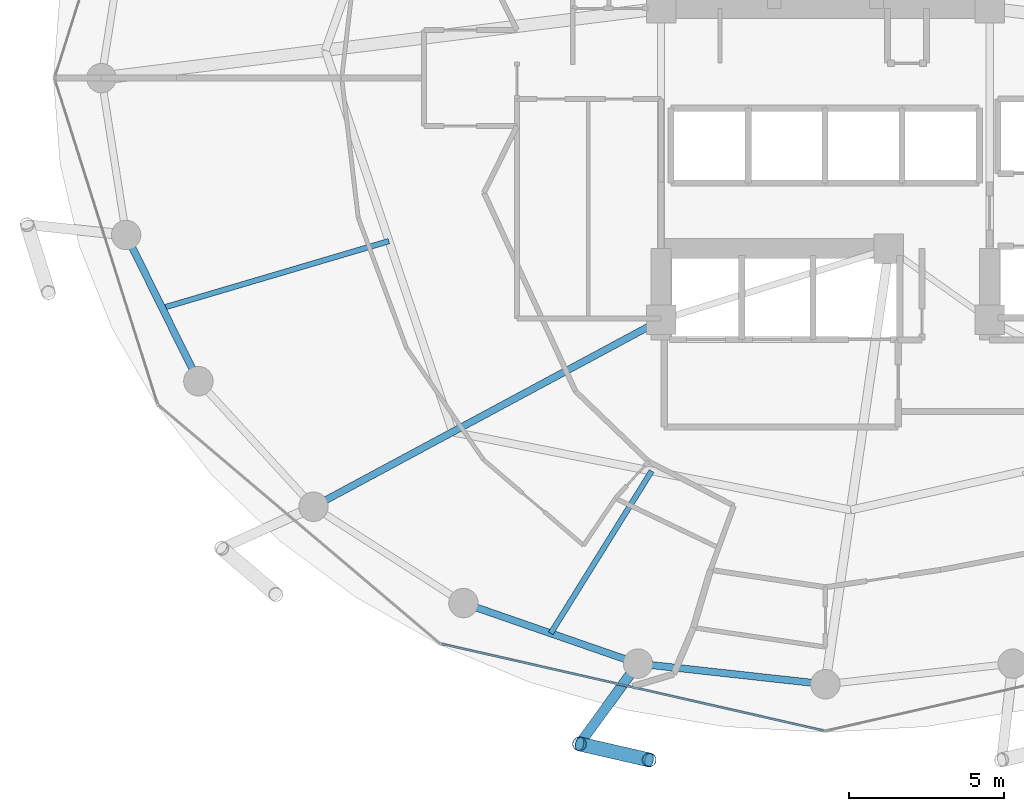
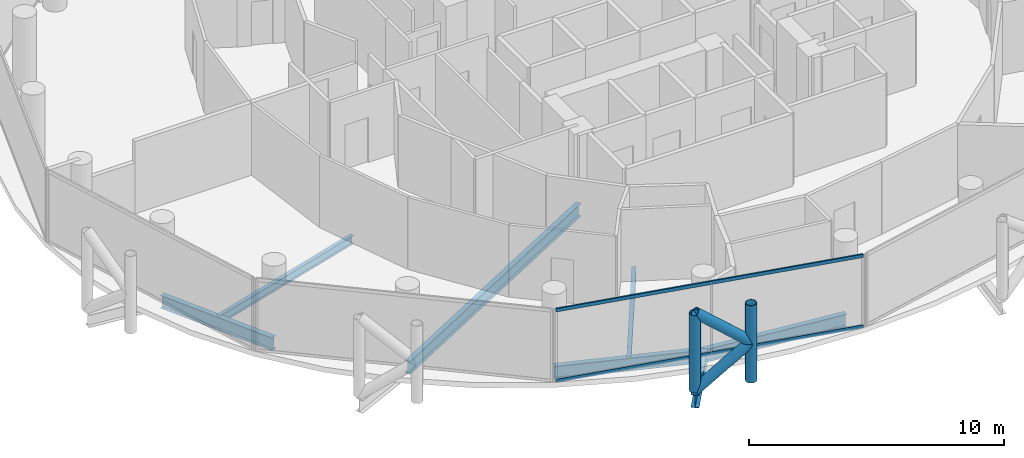
# One storey, part 3 of 26: 7 beams, 6 members, 1 element without a shape of its own.
"""IFC4 building model written with IfcOpenShell, lengths in metres."""

from ifc_helpers import new_model, si_unit, direction, frame, origin, origin_2d, place, context, subcontext, project, spatial, hollow_rectangle, hollow_circle, i_section, extrude, material, layer, layer_set, material_profile, profile_set, type_object, element, aggregate, save


model = new_model("IFC4")

# Units and contexts
model_context = context("Model", 3, precision=1e-05, world=origin(), true_north=direction((0.0, 1.0)))
body_context = subcontext(model_context, "Body", "Model", "MODEL_VIEW")
ifc_project = project(units=[si_unit("LENGTHUNIT", "METRE"), si_unit("AREAUNIT", "SQUARE_METRE"), si_unit("VOLUMEUNIT", "CUBIC_METRE"), si_unit("PLANEANGLEUNIT", "RADIAN"), si_unit("MASSUNIT", "GRAM", prefix="KILO")], contexts=[model_context])

# Site, building, storey
site_placement = place(None, origin())
site = spatial("IfcSite", under=ifc_project, at=site_placement, CompositionType="ELEMENT")
building_placement = place(site_placement, origin())
building = spatial("IfcBuilding", under=site, at=building_placement, Name="Nuhasar Tower", CompositionType="ELEMENT")
storey_placement = place(building_placement, frame((0.0, 0.0, 181.14990234375)))
storey = spatial("IfcBuildingStorey", under=building, at=storey_placement, Name="L44", CompositionType="ELEMENT", Elevation=181.14990234375)

# Beams
ifc_material_1 = material(Name="Steel S355", Category="steel")
ifc_material_profile_1 = material_profile(ifc_material_1, i_section(OverallWidth=0.177978515625, OverallDepth=0.406005859375, WebThickness=0.0078125, FlangeThickness=0.0126953125, at=origin_2d()), Name="W16X40")
ifc_profile_set_1 = profile_set([ifc_material_profile_1], Name="Steel S355")
beam_type_1 = type_object("IfcBeamType", Name="BM-JST-W16X40", PredefinedType="JOIST", material=ifc_profile_set_1)
beam_1_placement = place(storey_placement, frame((33.39697265625, 14.1279296875, -0.452880859375), z_axis=(-0.528139463011, -0.849157645912, 0.0), x_axis=(0.849157645912, -0.528139463011, 0.0)))
element("IfcBeam", 1, at=beam_1_placement, inside=storey, type_object=beam_type_1, Name="L44 Secondary Floor Joist 01", PredefinedType="JOIST", context=body_context, shape_type="SweptSolid", body=[
    extrude(i_section(OverallWidth=0.177978515625, OverallDepth=0.406005859375, WebThickness=0.0078125, FlangeThickness=0.0126953125, at=origin_2d()), origin(), (0.0, 0.0, 1.0), 6.164794921875),
])
beam_2_placement = place(storey_placement, frame((24.922119140625, 21.54296875, -0.452880859375), z_axis=(-0.959013356257, -0.283360869775, 0.0), x_axis=(0.283360869775, -0.959013356257, 0.0)))
element("IfcBeam", 2, at=beam_2_placement, inside=storey, type_object=beam_type_1, Name="L44 Secondary Floor Joist 08", PredefinedType="JOIST", context=body_context, shape_type="SweptSolid", body=[
    extrude(i_section(OverallWidth=0.177978515625, OverallDepth=0.406005859375, WebThickness=0.0078125, FlangeThickness=0.0126953125, at=origin_2d()), origin(), (0.0, 0.0, 1.0), 7.62255859375),
])
ifc_material_profile_2 = material_profile(ifc_material_1, i_section(OverallWidth=0.22900390625, OverallDepth=0.612060546875, WebThickness=0.011962890625, FlangeThickness=0.01953125, at=origin_2d()), Name="W24X84")
ifc_profile_set_2 = profile_set([ifc_material_profile_2], Name="Steel S355")
beam_type_2 = type_object("IfcBeamType", Name="BM-RAD-W24X84", PredefinedType="BEAM", material=ifc_profile_set_2)
beam_3_placement = place(storey_placement, frame((33.699951171875, 19.0, -0.555908203125), z_axis=(-0.880888386928, -0.473324043098, 0.0), x_axis=(0.473324043098, -0.880888386928, 0.0)))
element("IfcBeam", 3, at=beam_3_placement, inside=storey, type_object=beam_type_2, Name="L44 Radial Floor Girder 01", PredefinedType="BEAM", context=body_context, shape_type="SweptSolid", body=[
    extrude(i_section(OverallWidth=0.22900390625, OverallDepth=0.612060546875, WebThickness=0.011962890625, FlangeThickness=0.01953125, at=origin_2d()), origin(), (0.0, 0.0, 1.0), 12.726806640625),
])
ifc_material_profile_3 = material_profile(ifc_material_1, i_section(OverallWidth=0.22998046875, OverallDepth=0.616943359375, WebThickness=0.01318359375, FlangeThickness=0.022216796875, at=origin_2d()), Name="W24X94")
ifc_profile_set_3 = profile_set([ifc_material_profile_3], Name="Steel S355")
beam_type_3 = type_object("IfcBeamType", Name="BM-RING-W24X94", PredefinedType="SPANDREL", material=ifc_profile_set_3)
beam_4_placement = place(storey_placement, frame((16.446044921875, 21.739990234375, -0.558837890625), z_axis=(0.443329327657, -0.896358804966, 0.0), x_axis=(0.896358804966, 0.443329327657, 0.0)))
element("IfcBeam", 4, at=beam_4_placement, inside=storey, type_object=beam_type_3, Name="L44 Perimeter Ring Spandrel 14", PredefinedType="SPANDREL", context=body_context, shape_type="SweptSolid", body=[
    extrude(i_section(OverallWidth=0.22998046875, OverallDepth=0.616943359375, WebThickness=0.01318359375, FlangeThickness=0.022216796875, at=origin_2d()), origin(), (0.0, 0.0, 1.0), 5.26025390625),
])
beam_5_placement = place(storey_placement, frame((27.324951171875, 9.868896484375, -0.558837890625), z_axis=(0.944814057608, -0.327607076458, 0.0), x_axis=(0.327607076458, 0.944814057608, 0.0)))
element("IfcBeam", 5, at=beam_5_placement, inside=storey, type_object=beam_type_3, Name="L44 Perimeter Ring Spandrel 17", PredefinedType="SPANDREL", context=body_context, shape_type="SweptSolid", body=[
    extrude(i_section(OverallWidth=0.22998046875, OverallDepth=0.616943359375, WebThickness=0.01318359375, FlangeThickness=0.022216796875, at=origin_2d()), origin(), (0.0, 0.0, 1.0), 5.9609375),
])
beam_6_placement = place(storey_placement, frame((32.95703125, 7.916015625, -0.558837890625), z_axis=(0.993981289157, -0.109549974015, 0.0), x_axis=(0.109549974015, 0.993981289157, 0.0)))
element("IfcBeam", 6, at=beam_6_placement, inside=storey, type_object=beam_type_3, Name="L44 Perimeter Ring Spandrel 18", PredefinedType="SPANDREL", context=body_context, shape_type="SweptSolid", body=[
    extrude(i_section(OverallWidth=0.22998046875, OverallDepth=0.616943359375, WebThickness=0.01318359375, FlangeThickness=0.022216796875, at=origin_2d()), origin(), (0.0, 0.0, 1.0), 6.07958984375),
])
ifc_material_profile_4 = material_profile(ifc_material_1, i_section(OverallWidth=0.323974609375, OverallDepth=0.611083984375, WebThickness=0.0126953125, FlangeThickness=0.01904296875, at=origin_2d()), Name="W24X104")
ifc_profile_set_4 = profile_set([ifc_material_profile_4], Name="Steel S355")
beam_type_4 = type_object("IfcBeamType", Name="BM-TIE-W24X104", PredefinedType="BEAM", material=ifc_profile_set_4)
beam_7_placement = place(storey_placement, frame((32.95703125, 7.916015625, -0.554931640625), z_axis=(-0.588149050751, -0.808752554309, 0.0), x_axis=(0.808752554309, -0.588149050751, 0.0)))
element("IfcBeam", 7, at=beam_7_placement, inside=storey, type_object=beam_type_4, Name="L44 Exoskeleton Node Tie Beam 09", PredefinedType="BEAM", context=body_context, shape_type="SweptSolid", body=[
    extrude(i_section(OverallWidth=0.323974609375, OverallDepth=0.611083984375, WebThickness=0.0126953125, FlangeThickness=0.01904296875, at=origin_2d()), origin(), (0.0, 0.0, 1.0), 3.205078125),
])

# Curtain wall, members
ifc_material_2 = material(Name="Aluminium 6063-T6", Category="aluminium")
ifc_layer = layer(ifc_material_2, 0.199951171875)
ifc_layer_set = layer_set([ifc_layer], Name="Aluminium 6063-T6")
curtain_wall_type = type_object("IfcCurtainWallType", Name="CW-Z2-HTL", PredefinedType="NOTDEFINED", material=ifc_layer_set)
curtain_wall_placement = place(storey_placement, origin())
curtain_wall = element("IfcCurtainWall", 8, at=curtain_wall_placement, inside=storey, type_object=curtain_wall_type, Name="L44 Unitised Curtain Wall 09", PredefinedType="NOTDEFINED")
ifc_material_profile_5 = material_profile(ifc_material_2, hollow_rectangle(XDim=0.070068359375, YDim=0.159912109375, WallThickness=0.00439453125, at=origin_2d()), Name="CWT-3")
ifc_profile_set_5 = profile_set([ifc_material_profile_5], Name="Aluminium 6063-T6")
member_type_1 = type_object("IfcMemberType", Name="CW-TRN-S3", PredefinedType="USERDEFINED", material=ifc_profile_set_5)
member_1_placement = place(storey_placement, frame((26.63818359375, 8.54638671875, 0.03515625), z_axis=(0.975187615691, -0.221380022142, 0.0), x_axis=(0.221380022142, 0.975187615691, 0.0)))
member_1 = element("IfcMember", 9, at=member_1_placement, type_object=member_type_1, Name="CW-Z2 transom 1.1", ObjectType="TRANSOM", PredefinedType="USERDEFINED", context=body_context, shape_type="SweptSolid", body=[
    extrude(hollow_rectangle(XDim=0.070068359375, YDim=0.159912109375, WallThickness=0.00439453125, at=origin_2d()), origin(), (0.0, 0.0, 1.0), 12.606201171875),
])
member_2_placement = place(storey_placement, frame((26.63818359375, 8.54638671875, 3.4150390625), z_axis=(0.975187615691, -0.221380022142, 0.0), x_axis=(0.221380022142, 0.975187615691, 0.0)))
member_2 = element("IfcMember", 10, at=member_2_placement, type_object=member_type_1, Name="CW-Z2 transom 1.2", ObjectType="TRANSOM", PredefinedType="USERDEFINED", context=body_context, shape_type="SweptSolid", body=[
    extrude(hollow_rectangle(XDim=0.070068359375, YDim=0.159912109375, WallThickness=0.00439453125, at=origin_2d()), origin(), (0.0, 0.0, 1.0), 12.606201171875),
])
aggregate(curtain_wall, [member_1, member_2])

# Members
ifc_material_3 = material(Name="Steel S460", Category="steel")
ifc_material_profile_6 = material_profile(ifc_material_3, hollow_circle(Radius=0.228515625, WallThickness=0.022216796875, at=origin_2d()), Name="HSS457X22.2")
ifc_profile_set_6 = profile_set([ifc_material_profile_6], Name="Steel S460")
member_type_2 = type_object("IfcMemberType", Name="EXO-BRONZE-457", PredefinedType="BRACE", material=ifc_profile_set_6)
for number, where, z_axis, x_axis, name in (
    (11, (31.072021484375, 5.323974609375, 0.0), (0.0, 0.0, 1.0), (1.0, 0.0, 0.0), "L44 Exoskeleton Chord Column EC-09A"),
    (12, (33.31396484375, 4.81005859375, 0.0), (0.0, 0.0, 1.0), (1.0, 0.0, 0.0), "L44 Exoskeleton Chord Column EC-09B"),
):
    element("IfcMember", number, at=place(storey_placement, frame(where, z_axis=z_axis, x_axis=x_axis)), inside=storey, type_object=member_type_2, Name=name, PredefinedType="BRACE", context=body_context, shape_type="SweptSolid", body=[
        extrude(hollow_circle(Radius=0.228515625, WallThickness=0.022216796875, at=origin_2d()), origin(), (0.0, 0.0, 1.0), 3.7001953125),
    ])
for number, where, z_axis, x_axis, name in (
    (13, (31.072021484375, 5.323974609375, 0.0), (0.759510488094, -0.174101010284, 0.626763637022), (0.223432882746, 0.974719316987, 0.0), "L44 Bronze Diagrid Brace W1-09"),
    (14, (33.31396484375, 4.81005859375, 1.85009765625), (-0.759510488094, 0.174101010284, 0.626763637022), (-0.223432882746, -0.974719316987, 0.0), "L44 Bronze Diagrid Brace W2-09"),
):
    element("IfcMember", number, at=place(storey_placement, frame(where, z_axis=z_axis, x_axis=x_axis)), inside=storey, type_object=member_type_2, Name=name, PredefinedType="BRACE", context=body_context, shape_type="SweptSolid", body=[
        extrude(hollow_circle(Radius=0.228515625, WallThickness=0.022216796875, at=origin_2d()), origin(), (0.0, 0.0, 1.0), 2.951904296875),
    ])

save(model, "model.ifc")
